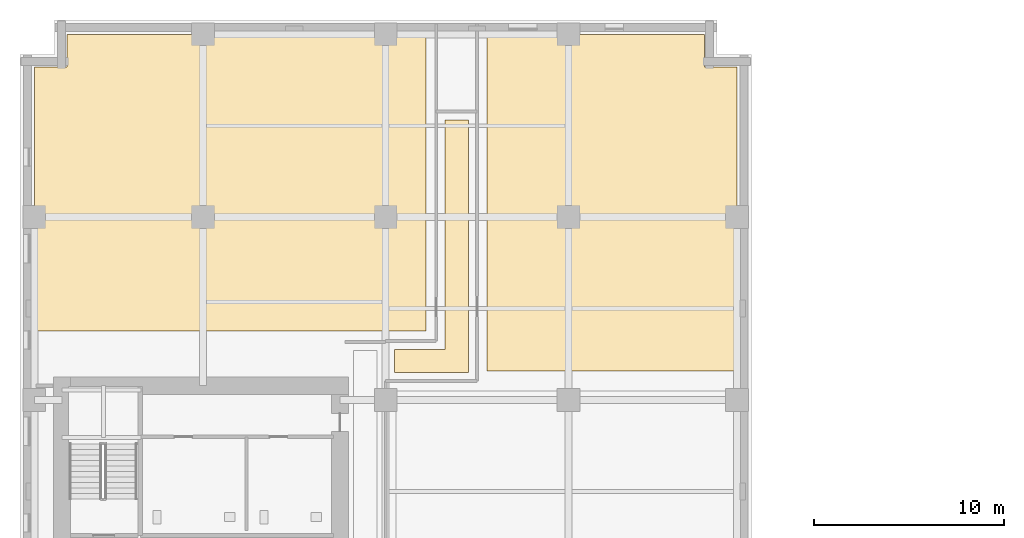
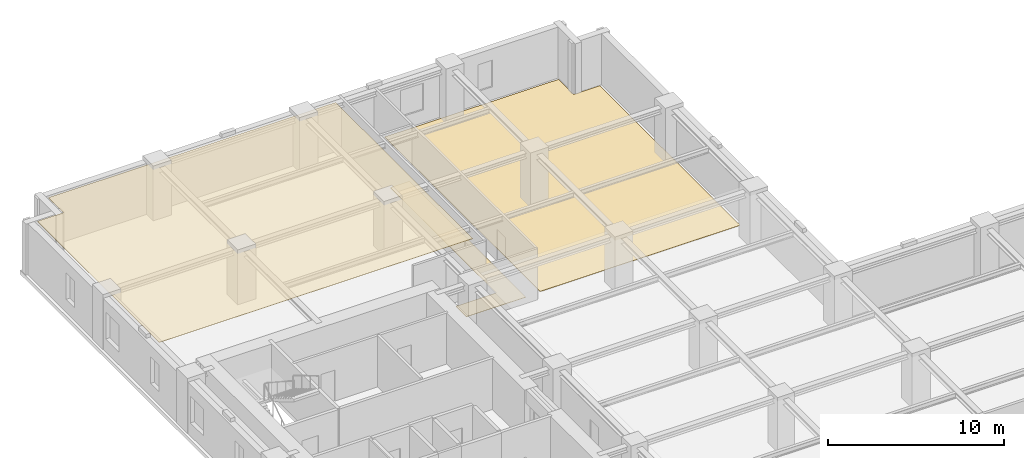
# One storey, part 12 of 13: 3 coverings.
"""IFC4 building model written with IfcOpenShell, lengths in metres."""

from ifc_helpers import new_model, si_unit, direction, frame, origin, place, context, subcontext, project, spatial, polyline, outline, extrude, material, layer, layer_set, type_object, element, save


model = new_model("IFC4")

# Units and contexts
model_context = context("Model", 3, precision=1e-05, world=origin(), true_north=direction((0.0, 1.0)))
body_context = subcontext(model_context, "Body", "Model", "MODEL_VIEW")
ifc_project = project(units=[si_unit("LENGTHUNIT", "METRE"), si_unit("AREAUNIT", "SQUARE_METRE"), si_unit("VOLUMEUNIT", "CUBIC_METRE"), si_unit("PLANEANGLEUNIT", "RADIAN"), si_unit("MASSUNIT", "GRAM", prefix="KILO")], contexts=[model_context])

# Site, building, storey
site_placement = place(None, origin())
site = spatial("IfcSite", under=ifc_project, at=site_placement, CompositionType="ELEMENT")
building_placement = place(site_placement, origin())
building = spatial("IfcBuilding", under=site, at=building_placement, Name="Norrvale University Quadrangle", CompositionType="ELEMENT")
storey_placement = place(building_placement, frame((0.0, 0.0, 43.199951171875)))
storey = spatial("IfcBuildingStorey", under=building, at=storey_placement, Name="L10", CompositionType="ELEMENT", Elevation=43.199951171875)

# Coverings
ifc_material_1 = material(Name="Perforated Acoustic Mineral Ceiling")
ifc_layer_1 = layer(ifc_material_1, 0.02490234375, Name="Perforated Acoustic Mineral Ceiling")
ifc_layer_set_1 = layer_set([ifc_layer_1], Name="Perforated Acoustic Mineral Ceiling")
covering_type_1 = type_object("IfcCoveringType", Name="Covering Acoustic Ceiling 25", PredefinedType="CEILING", material=ifc_layer_set_1)
covering_1_placement = place(storey_placement, frame((0.0, 0.0, 3.51513671875)))
element("IfcCovering", 1, at=covering_1_placement, inside=storey, type_object=covering_type_1, Name="Acoustic Ceiling RM-L10-NW01", PredefinedType="CEILING", context=body_context, shape_type="SweptSolid", body=[
    extrude(outline(polyline([(21.320068359375, 66.449951171875), (21.320068359375, 50.8798828125), (0.75, 50.8798828125), (0.75, 64.72998046875), (2.469970703125, 64.72998046875), (2.469970703125, 66.449951171875), (21.320068359375, 66.449951171875)])), origin(), (0.0, 0.0, 1.0), 0.02490234375),
])
ifc_material_2 = material(Name="Polished Terrazzo Flooring")
ifc_layer_2 = layer(ifc_material_2, 0.02490234375, Name="Polished Terrazzo Flooring")
ifc_layer_set_2 = layer_set([ifc_layer_2], Name="Polished Terrazzo Flooring")
covering_type_2 = type_object("IfcCoveringType", Name="Covering Terrazzo Floor 30", PredefinedType="FLOORING", material=ifc_layer_set_2)
covering_2_placement = place(storey_placement, origin())
element("IfcCovering", 2, at=covering_2_placement, inside=storey, type_object=covering_type_2, Name="Terrazzo Flooring RM-L10-NCJOG", PredefinedType="FLOORING", context=body_context, shape_type="SweptSolid", body=[
    extrude(outline(polyline([(19.64990234375, 48.699951171875), (19.64990234375, 49.89990234375), (22.300048828125, 49.89990234375), (22.300048828125, 61.949951171875), (23.550048828125, 61.949951171875), (23.550048828125, 48.699951171875), (19.64990234375, 48.699951171875)])), origin(), (0.0, 0.0, 1.0), 0.025146484375),
])
covering_3_placement = place(storey_placement, origin())
element("IfcCovering", 3, at=covering_3_placement, inside=storey, type_object=covering_type_2, Name="Terrazzo Flooring RM-L10-NE01", PredefinedType="FLOORING", context=body_context, shape_type="SweptSolid", body=[
    extrude(outline(polyline([(37.64990234375, 48.780029296875), (24.530029296875, 48.780029296875), (24.530029296875, 66.449951171875), (35.929931640625, 66.449951171875), (35.929931640625, 64.72998046875), (37.64990234375, 64.72998046875), (37.64990234375, 48.780029296875)])), origin(), (0.0, 0.0, 1.0), 0.025146484375),
])

save(model, "model.ifc")
